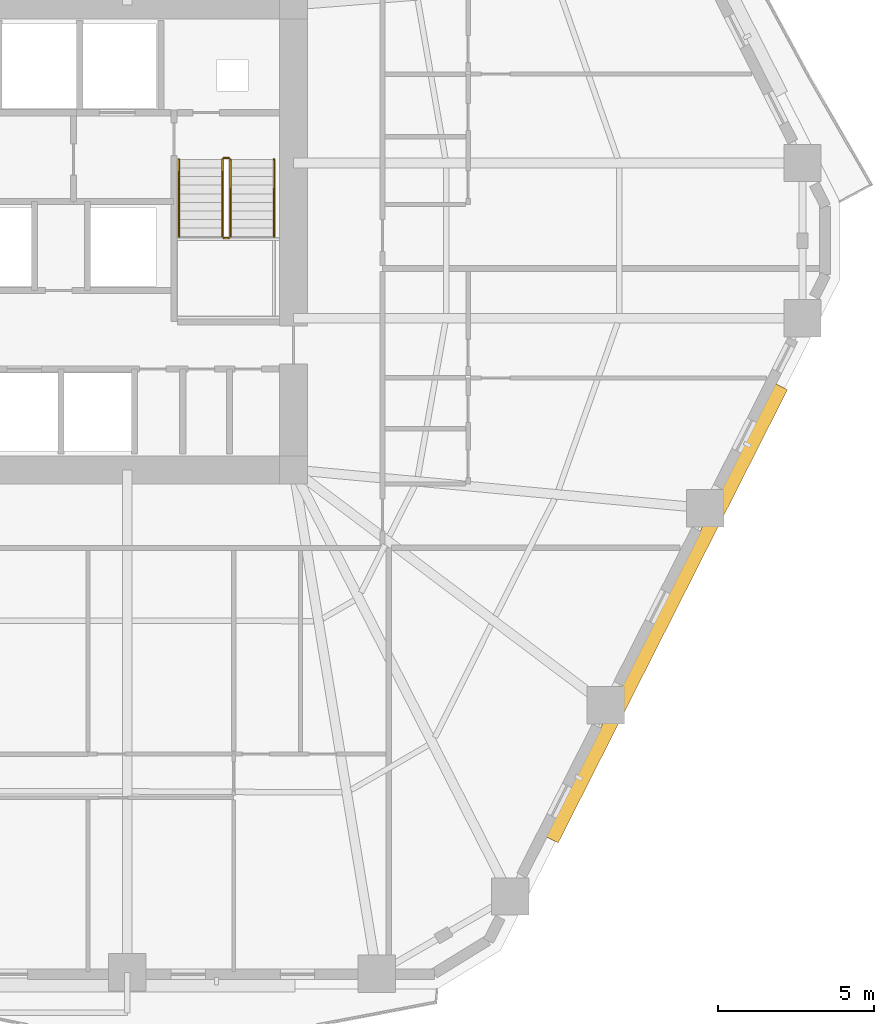
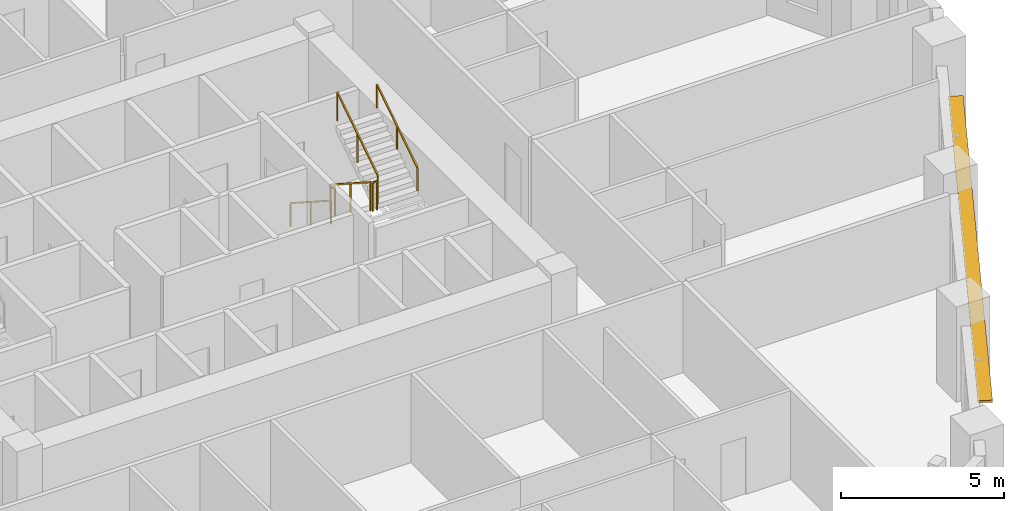
# One storey, part 13 of 14: 6 railings, 1 shading device.
"""IFC4 building model written with IfcOpenShell, lengths in metres."""

from ifc_helpers import new_model, si_unit, direction, frame, origin, origin_2d, place, context, subcontext, project, spatial, rectangle, extrude, material, layer, layer_set, type_object, element, save


model = new_model("IFC4")

# Units and contexts
model_context = context("Model", 3, precision=1e-05, world=origin(), true_north=direction((0.0, 1.0)))
body_context = subcontext(model_context, "Body", "Model", "MODEL_VIEW")
ifc_project = project(units=[si_unit("LENGTHUNIT", "METRE"), si_unit("AREAUNIT", "SQUARE_METRE"), si_unit("VOLUMEUNIT", "CUBIC_METRE"), si_unit("PLANEANGLEUNIT", "RADIAN"), si_unit("MASSUNIT", "GRAM", prefix="KILO")], contexts=[model_context])

# Site, building, storey
site_placement = place(None, origin())
site = spatial("IfcSite", under=ifc_project, at=site_placement, CompositionType="ELEMENT")
building_placement = place(site_placement, origin())
building = spatial("IfcBuilding", under=site, at=building_placement, Name="Cinnabar Lancet Tower", CompositionType="ELEMENT")
storey_placement = place(building_placement, frame((0.0, 0.0, 67.5)))
storey = spatial("IfcBuildingStorey", under=building, at=storey_placement, Name="L17", CompositionType="ELEMENT", Elevation=67.5)

# Shading device
ifc_material_1 = material(Name="Pale limestone architectural aluminium sunshade", Category="masonry")
ifc_layer = layer(ifc_material_1, 0.080078125)
ifc_layer_set = layer_set([ifc_layer], Name="Pale limestone architectural aluminium sunshade")
shading_device_type = type_object("IfcShadingDeviceType", Name="ENV-SHD-LVR-450", PredefinedType="JALOUSIE", material=ifc_layer_set)
shading_device_placement = place(storey_placement, frame((53.81005859375, 13.85595703125, 2.639892578125), z_axis=(0.0, 0.0, 1.0), x_axis=(0.451500573218, 0.892270829056, 0.0)))
element("IfcShadingDevice", 1, at=shading_device_placement, inside=storey, type_object=shading_device_type, Name="L17 Face 2 Horizontal Sunshade Canopy", PredefinedType="JALOUSIE", context=body_context, shape_type="SweptSolid", body=[
    extrude(rectangle(XDim=16.279052734375, YDim=0.449951171875, at=origin_2d()), origin(), (0.0, 0.0, 1.0), 0.080078125),
])

# Railings
ifc_material_2 = material(Name="Painted galvanized steel balustrade", Category="steel")
railing_type_1 = type_object("IfcRailingType", Name="GUARD-STAIR", PredefinedType="GUARDRAIL", material=ifc_material_2)
railing_1_placement = place(storey_placement, frame((39.574951171875, 28.39990234375, 0.177490234375)))
element("IfcRailing", 2, at=railing_1_placement, inside=storey, type_object=railing_type_1, Name="L17 ST-2 stair guard 1", PredefinedType="GUARDRAIL", context=body_context, shape_type="SweptSolid", body=[
    extrude(rectangle(XDim=0.048095703125, YDim=0.048095703125, at=origin_2d()), frame((0.0, 0.0, 1.076171875), z_axis=(0.0, -0.840183358697, 0.542302428327), x_axis=(1.0, 0.0, 0.0)), (0.0, 0.0, 1.0), 2.945556640625),
    extrude(rectangle(XDim=0.0419921875, YDim=0.0419921875, at=origin_2d()), origin(), (0.0, 0.0, 1.0), 1.052001953125),
    extrude(rectangle(XDim=0.0419921875, YDim=0.0419921875, at=origin_2d()), frame((0.0, -1.2373046875, 0.798828125)), (0.0, 0.0, 1.0), 1.052001953125),
    extrude(rectangle(XDim=0.0419921875, YDim=0.0419921875, at=origin_2d()), frame((0.0, -2.474853515625, 1.597412109375)), (0.0, 0.0, 1.0), 1.052001953125),
])
railing_2_placement = place(storey_placement, frame((39.625, 25.875, 1.77490234375)))
element("IfcRailing", 3, at=railing_2_placement, inside=storey, type_object=railing_type_1, Name="L17 ST-2 stair guard 2", PredefinedType="GUARDRAIL", context=body_context, shape_type="SweptSolid", body=[
    extrude(rectangle(XDim=0.048095703125, YDim=0.048095703125, at=origin_2d()), frame((0.0, 0.0, 1.076171875), z_axis=(1.0, 0.0, 0.0), x_axis=(0.0, 1.0, 0.0)), (0.0, 0.0, 1.0), 0.14990234375),
    extrude(rectangle(XDim=0.0419921875, YDim=0.0419921875, at=origin_2d()), origin(), (0.0, 0.0, 1.0), 1.052001953125),
    extrude(rectangle(XDim=0.0419921875, YDim=0.0419921875, at=origin_2d()), frame((0.14990234375, 0.0, 0.0)), (0.0, 0.0, 1.0), 1.052001953125),
])
railing_3_placement = place(storey_placement, frame((39.824951171875, 25.925048828125, 1.952392578125)))
element("IfcRailing", 4, at=railing_3_placement, inside=storey, type_object=railing_type_1, Name="L17 ST-2 stair guard 3", PredefinedType="GUARDRAIL", context=body_context, shape_type="SweptSolid", body=[
    extrude(rectangle(XDim=0.048095703125, YDim=0.048095703125, at=origin_2d()), frame((0.0, 0.0, 1.076171875), z_axis=(0.0, 0.84014559416, 0.542360932049), x_axis=(-1.0, 0.0, 0.0)), (0.0, 0.0, 1.0), 2.94580078125),
    extrude(rectangle(XDim=0.0419921875, YDim=0.0419921875, at=origin_2d()), origin(), (0.0, 0.0, 1.0), 1.052001953125),
    extrude(rectangle(XDim=0.0419921875, YDim=0.0419921875, at=origin_2d()), frame((0.0, 1.2373046875, 0.798828125)), (0.0, 0.0, 1.0), 1.052001953125),
    extrude(rectangle(XDim=0.0419921875, YDim=0.0419921875, at=origin_2d()), frame((0.0, 2.474853515625, 1.59765625)), (0.0, 0.0, 1.0), 1.052001953125),
])
railing_4_placement = place(storey_placement, frame((39.625, 28.449951171875, 0.0)))
element("IfcRailing", 5, at=railing_4_placement, inside=storey, type_object=railing_type_1, Name="L17 ST-2 stair guard 4", PredefinedType="GUARDRAIL", context=body_context, shape_type="SweptSolid", body=[
    extrude(rectangle(XDim=0.048095703125, YDim=0.048095703125, at=origin_2d()), frame((0.0, 0.0, 1.076171875), z_axis=(1.0, 0.0, 0.0), x_axis=(0.0, 1.0, 0.0)), (0.0, 0.0, 1.0), 0.14990234375),
    extrude(rectangle(XDim=0.0419921875, YDim=0.0419921875, at=origin_2d()), origin(), (0.0, 0.0, 1.0), 1.052001953125),
    extrude(rectangle(XDim=0.0419921875, YDim=0.0419921875, at=origin_2d()), frame((0.14990234375, 0.0, 0.0)), (0.0, 0.0, 1.0), 1.052001953125),
])
ifc_material_3 = material(Name="Brushed stainless steel handrail", Category="steel")
railing_type_2 = type_object("IfcRailingType", Name="HANDRAIL-STAIR", PredefinedType="HANDRAIL", material=ifc_material_3)
railing_5_placement = place(storey_placement, frame((38.175048828125, 28.39990234375, 0.177490234375)))
element("IfcRailing", 6, at=railing_5_placement, inside=storey, type_object=railing_type_2, Name="L17 ST-2 stair handrail 1", PredefinedType="HANDRAIL", context=body_context, shape_type="SweptSolid", body=[
    extrude(rectangle(XDim=0.048095703125, YDim=0.048095703125, at=origin_2d()), frame((0.0, 0.0, 0.8759765625), z_axis=(0.0, -0.840183358697, 0.542302428327), x_axis=(1.0, 0.0, 0.0)), (0.0, 0.0, 1.0), 2.945556640625),
    extrude(rectangle(XDim=0.0419921875, YDim=0.0419921875, at=origin_2d()), origin(), (0.0, 0.0, 1.0), 0.851806640625),
    extrude(rectangle(XDim=0.0419921875, YDim=0.0419921875, at=origin_2d()), frame((0.0, -1.2373046875, 0.798828125)), (0.0, 0.0, 1.0), 0.851806640625),
    extrude(rectangle(XDim=0.0419921875, YDim=0.0419921875, at=origin_2d()), frame((0.0, -2.474853515625, 1.597412109375)), (0.0, 0.0, 1.0), 0.851806640625),
])
railing_6_placement = place(storey_placement, frame((41.22509765625, 25.925048828125, 1.952392578125)))
element("IfcRailing", 7, at=railing_6_placement, inside=storey, type_object=railing_type_2, Name="L17 ST-2 stair handrail 2", PredefinedType="HANDRAIL", context=body_context, shape_type="SweptSolid", body=[
    extrude(rectangle(XDim=0.048095703125, YDim=0.048095703125, at=origin_2d()), frame((0.0, 0.0, 0.8759765625), z_axis=(0.0, 0.84014559416, 0.542360932049), x_axis=(-1.0, 0.0, 0.0)), (0.0, 0.0, 1.0), 2.94580078125),
    extrude(rectangle(XDim=0.0419921875, YDim=0.0419921875, at=origin_2d()), origin(), (0.0, 0.0, 1.0), 0.851806640625),
    extrude(rectangle(XDim=0.0419921875, YDim=0.0419921875, at=origin_2d()), frame((0.0, 1.2373046875, 0.798828125)), (0.0, 0.0, 1.0), 0.851806640625),
    extrude(rectangle(XDim=0.0419921875, YDim=0.0419921875, at=origin_2d()), frame((0.0, 2.474853515625, 1.59765625)), (0.0, 0.0, 1.0), 0.851806640625),
])

save(model, "model.ifc")
